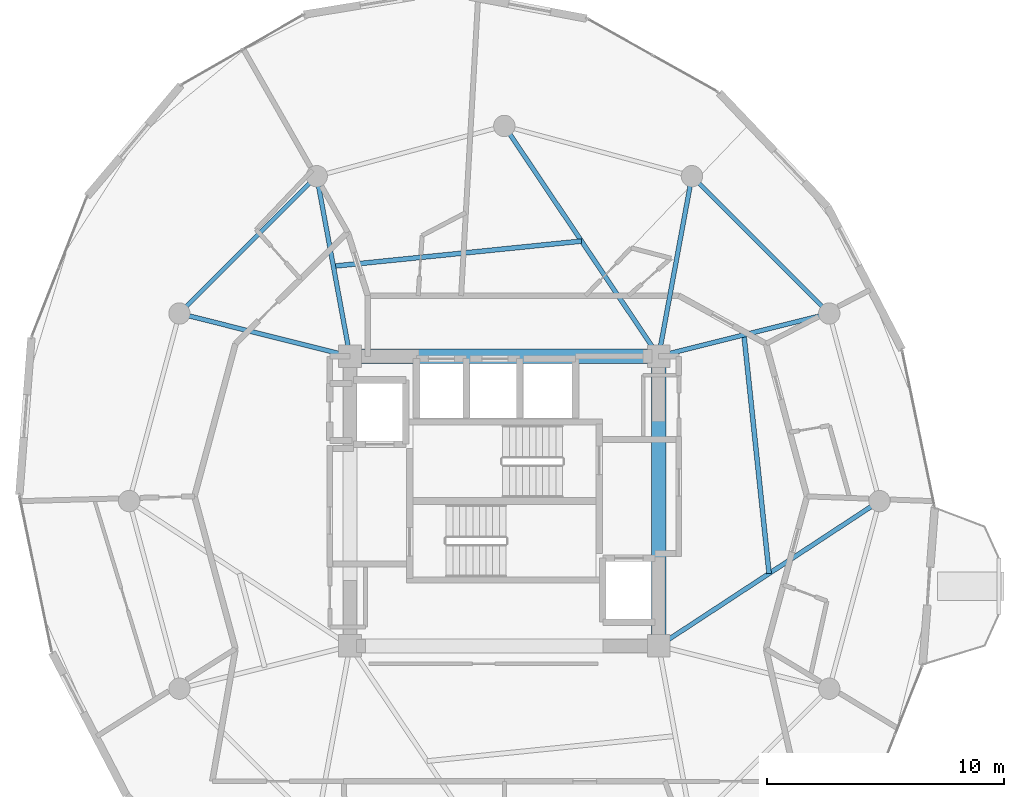
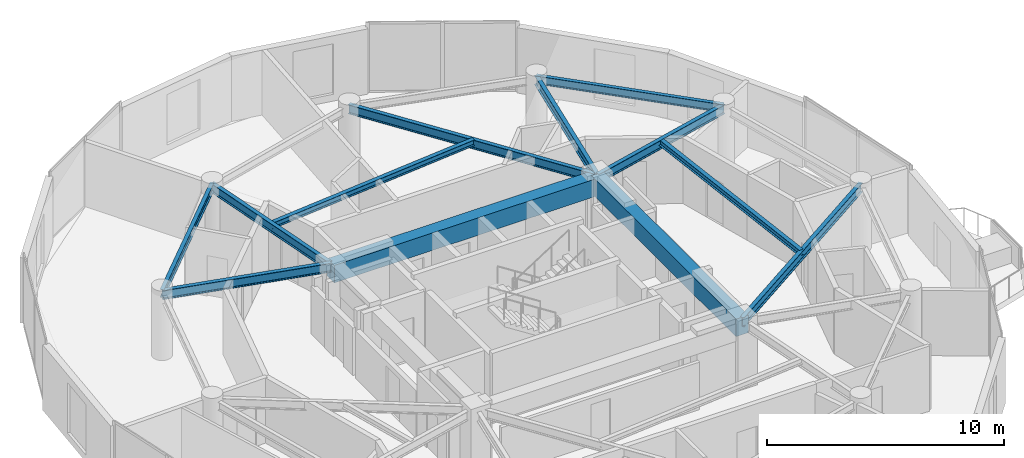
# One storey, part 10 of 21: 12 beams.
"""IFC4 building model written with IfcOpenShell, lengths in metres."""

import ifcopenshell
import ifcopenshell.guid

model = None  # the IFC model being written
_history = None  # IfcOwnerHistory: only IFC2X3 demands one
_inside = {}  # id of a spatial element -> (the spatial element, [elements in it])
_under = {}  # id of a project, library or spatial element -> (it, [spatial elements below it])
_declared = {}  # id of a project -> (the project, [libraries it declares])
_typed = {}  # id of a type object -> (the type object, [elements of that type])
_made_of = {}  # id of a material, layer set ... -> (it, [elements and type objects made of it])


def new_model(schema):
    """Start an empty IFC model of exactly this schema.

    Asked for "IFC4X3", IfcOpenShell would pick the latest addendum, in which some entities
    have other attributes; the version numbers below select the first issue.
    IFC2X3 requires an IfcOwnerHistory on every rooted entity: one is made here for all.
    """
    global model, _history
    if schema == "IFC4X3":
        model = ifcopenshell.file(schema_version=(4, 3, 0, 0))
    else:
        model = ifcopenshell.file(schema=schema)
    _inside.clear()
    _under.clear()
    _declared.clear()
    _typed.clear()
    _made_of.clear()
    _history = None
    if model.schema == "IFC2X3":
        org = make("IfcOrganization", Name="unknown")
        user = make(
            "IfcPersonAndOrganization",
            ThePerson=make("IfcPerson", FamilyName="unknown"),
            TheOrganization=org,
        )
        app = make(
            "IfcApplication",
            ApplicationDeveloper=org,
            Version="unknown",
            ApplicationFullName="unknown",
            ApplicationIdentifier="unknown",
        )
        _history = make(
            "IfcOwnerHistory",
            OwningUser=user,
            OwningApplication=app,
            ChangeAction="ADDED",
            CreationDate=0,
        )
    return model


def make(cls, **values):
    """One entity of the class cls with the attributes given. An attribute that is None is left unset."""
    return model.create_entity(
        cls, **{name: value for name, value in values.items() if value is not None}
    )


def rooted(cls, **values):
    """An entity with a GlobalId (a new one), such as an element, a storey or a relation."""
    return make(cls, GlobalId=ifcopenshell.guid.new(), OwnerHistory=_history, **values)


def si_unit(unit_type, name, prefix=None):
    """IfcSIUnit, for example si_unit("LENGTHUNIT", "METRE", prefix="MILLI")."""
    return make("IfcSIUnit", UnitType=unit_type, Prefix=prefix, Name=name)


def assignment(units):
    """IfcUnitAssignment: the units of a project."""
    return None if units is None else make("IfcUnitAssignment", Units=units)


def point(xyz):
    """IfcCartesianPoint."""
    return None if xyz is None else make("IfcCartesianPoint", Coordinates=xyz)


def direction(xyz):
    """IfcDirection."""
    return None if xyz is None else make("IfcDirection", DirectionRatios=xyz)


def frame(location, z_axis=None, x_axis=None):
    """IfcAxis2Placement3D, a coordinate frame: its origin and axes. An axis left out is left unset."""
    return make(
        "IfcAxis2Placement3D",
        Location=point(location),
        Axis=direction(z_axis),
        RefDirection=direction(x_axis),
    )


def frame_2d(location, x_axis=None):
    """IfcAxis2Placement2D, a coordinate frame in the plane: its origin and x axis."""
    return make(
        "IfcAxis2Placement2D", Location=point(location), RefDirection=direction(x_axis)
    )


def origin():
    """The frame at (0, 0, 0) with its axes left unset."""
    return frame((0.0, 0.0, 0.0))


def origin_2d():
    """The frame at (0, 0) in the plane with its x axis left unset."""
    return frame_2d((0.0, 0.0))


def place(relative_to, where):
    """IfcLocalPlacement: puts the frame where relative to a parent placement (None: the world)."""
    return make(
        "IfcLocalPlacement", PlacementRelTo=relative_to, RelativePlacement=where
    )


def context(
    kind, dimensions, precision=None, world=None, true_north=None, identifier=None
):
    """IfcGeometricRepresentationContext, for example the 3D "Model" context."""
    return make(
        "IfcGeometricRepresentationContext",
        ContextIdentifier=identifier,
        ContextType=kind,
        CoordinateSpaceDimension=dimensions,
        Precision=precision,
        WorldCoordinateSystem=world,
        TrueNorth=true_north,
    )


def subcontext(parent, identifier, kind, view, scale=None):
    """IfcGeometricRepresentationSubContext, for example "Body" below "Model"."""
    return make(
        "IfcGeometricRepresentationSubContext",
        ContextIdentifier=identifier,
        ContextType=kind,
        ParentContext=parent,
        TargetScale=scale,
        TargetView=view,
    )


def project(units=None, contexts=None):
    """IfcProject with its units and contexts."""
    return rooted(
        "IfcProject",
        Name="project",
        RepresentationContexts=contexts,
        UnitsInContext=assignment(units),
    )


def spatial(cls, under=None, at=None, **own):
    """A site, building, storey or space (cls), placed at a placement, below another one or the project."""
    s = rooted(cls, ObjectPlacement=at, **own)
    if under is not None:
        _under.setdefault(under.id(), (under, []))[1].append(s)
    return s


def profile(cls, at=None, kind="AREA", **sizes):
    """A parametric profile (cls). Its sizes go by their IFC names, for example OverallWidth=200.0."""
    return make(cls, ProfileType=kind, Position=at, **sizes)


def rectangle(**sizes):
    """IfcRectangleProfileDef."""
    return profile("IfcRectangleProfileDef", **sizes)


def i_section(**sizes):
    """IfcIShapeProfileDef."""
    return profile("IfcIShapeProfileDef", **sizes)


def extrude(swept, where, along, depth):
    """IfcExtrudedAreaSolid: the profile swept, set in the frame where, extruded along a direction by depth."""
    return make(
        "IfcExtrudedAreaSolid",
        SweptArea=swept,
        Position=where,
        ExtrudedDirection=direction(along),
        Depth=depth,
    )


def shape(context_of_items, identifier, shape_type, items):
    """IfcShapeRepresentation: the items that make up one representation, for example the "Body"."""
    return make(
        "IfcShapeRepresentation",
        ContextOfItems=context_of_items,
        RepresentationIdentifier=identifier,
        RepresentationType=shape_type,
        Items=items,
    )


def material(Name=None, Category=None):
    """IfcMaterial."""
    return make("IfcMaterial", Name=Name, Category=Category)


def material_profile(
    of_material, cross_section, Name=None, Category=None, Priority=None
):
    """IfcMaterialProfile: a cross section and its material."""
    return make(
        "IfcMaterialProfile",
        Name=Name,
        Material=of_material,
        Profile=cross_section,
        Priority=Priority,
        Category=Category,
    )


def profile_set(profiles, Name=None, composite=None):
    """IfcMaterialProfileSet."""
    return make(
        "IfcMaterialProfileSet",
        Name=Name,
        MaterialProfiles=profiles,
        CompositeProfile=composite,
    )


def made_of(thing, what):
    """Note that an element or type object is made of a material, layer set ...; save() writes the relation."""
    if what is not None:
        _made_of.setdefault(what.id(), (what, []))[1].append(thing)
    return thing


def type_object(cls, material=None, **own):
    """A type object (cls), such as IfcWallType, which elements share."""
    return made_of(rooted(cls, **own), material)


def element(
    cls,
    number,
    at=None,
    inside=None,
    cuts=None,
    type_object=None,
    material=None,
    context=None,
    identifier="Body",
    shape_type=None,
    held_by="IfcProductDefinitionShape",
    body=None,
    shapes=None,
    **own,
):
    """One element of the class cls, such as IfcWall. Its Tag is "e" and its number.

    at: its placement. inside: the storey or other place that contains it. cuts: it is an
    opening in that element (IfcRelVoidsElement). A single representation is given by context,
    identifier, shape_type and body (its items); several are given by shapes. held_by: the class
    of the entity that holds the representations. save() writes the other relations.
    """
    e = rooted(cls, Tag="e%d" % number, ObjectPlacement=at, **own)
    if body is not None:
        shapes = [shape(context, identifier, shape_type, body)]
    if shapes is not None:
        e.Representation = make(held_by, Representations=shapes)
    if inside is not None:
        _inside.setdefault(inside.id(), (inside, []))[1].append(e)
    if cuts is not None:
        rooted(
            "IfcRelVoidsElement", RelatingBuildingElement=cuts, RelatedOpeningElement=e
        )
    if type_object is not None:
        _typed.setdefault(type_object.id(), (type_object, []))[1].append(e)
    return made_of(e, material)


def aggregate(whole, parts):
    """IfcRelAggregates: a whole, such as a stair, and the parts it consists of."""
    return rooted("IfcRelAggregates", RelatingObject=whole, RelatedObjects=parts)


def save(model, path):
    """Write the relations noted so far, then the file.

    IfcRelAggregates (storeys below a building ...), IfcRelContainedInSpatialStructure (elements
    in a storey), IfcRelDefinesByType, IfcRelAssociatesMaterial and IfcRelDeclares: one each for
    every whole, place, type object, material and project.
    """
    for whole, parts in _under.values():
        aggregate(whole, parts)
    for where, things in _inside.values():
        rooted(
            "IfcRelContainedInSpatialStructure",
            RelatedElements=things,
            RelatingStructure=where,
        )
    for kind, things in _typed.values():
        rooted("IfcRelDefinesByType", RelatedObjects=things, RelatingType=kind)
    for what, things in _made_of.values():
        rooted("IfcRelAssociatesMaterial", RelatedObjects=things, RelatingMaterial=what)
    for by, libraries in _declared.values():
        rooted("IfcRelDeclares", RelatingContext=by, RelatedDefinitions=libraries)
    model.write(path)


model = new_model("IFC4")

# Units and contexts
model_context = context("Model", 3, precision=1e-05, world=origin(), true_north=direction((0.0, 1.0)))
body_context = subcontext(model_context, "Body", "Model", "MODEL_VIEW")
ifc_project = project(units=[si_unit("LENGTHUNIT", "METRE"), si_unit("AREAUNIT", "SQUARE_METRE"), si_unit("VOLUMEUNIT", "CUBIC_METRE"), si_unit("PLANEANGLEUNIT", "RADIAN"), si_unit("MASSUNIT", "GRAM", prefix="KILO")], contexts=[model_context])

# Site, building, storey
site_placement = place(None, origin())
site = spatial("IfcSite", under=ifc_project, at=site_placement, CompositionType="ELEMENT")
building_placement = place(site_placement, origin())
building = spatial("IfcBuilding", under=site, at=building_placement, Name="Solvirekh Grand Hotel", CompositionType="ELEMENT")
storey_placement = place(building_placement, frame((0.0, 0.0, 220.0)))
storey = spatial("IfcBuildingStorey", under=building, at=storey_placement, Name="L57", CompositionType="ELEMENT", Elevation=220.0)

# Beams
ifc_material_1 = material(Name="Concrete C50/60", Category="concrete")
ifc_material_profile_1 = material_profile(ifc_material_1, rectangle(XDim=0.60009765625, YDim=0.89990234375, at=origin_2d()), Name="RC BEAM 600X900")
ifc_profile_set_1 = profile_set([ifc_material_profile_1], Name="Concrete C50/60")
beam_type_1 = type_object("IfcBeamType", Name="Beam_Core_RC900", PredefinedType="BEAM", material=ifc_profile_set_1)
beam_1_placement = place(storey_placement, frame((6.5, -6.10009765625, 2.909912109375), z_axis=(0.0, 1.0, 0.0), x_axis=(-1.0, 0.0, 0.0)))
element("IfcBeam", 1, at=beam_1_placement, inside=storey, type_object=beam_type_1, Name="L57 core coupling ring beam 2", PredefinedType="BEAM", context=body_context, shape_type="SweptSolid", body=[
    extrude(rectangle(XDim=0.60009765625, YDim=0.89990234375, at=origin_2d()), origin(), (0.0, 0.0, 1.0), 12.2001953125),
])
beam_2_placement = place(storey_placement, frame((6.5, 6.10009765625, 2.909912109375), z_axis=(-1.0, 0.0, 0.0), x_axis=(0.0, -1.0, 0.0)))
element("IfcBeam", 2, at=beam_2_placement, inside=storey, type_object=beam_type_1, Name="L57 core coupling ring beam 3", PredefinedType="BEAM", context=body_context, shape_type="SweptSolid", body=[
    extrude(rectangle(XDim=0.60009765625, YDim=0.89990234375, at=origin_2d()), origin(), (0.0, 0.0, 1.0), 13.0),
])
ifc_material_2 = material(Name="Steel S355", Category="steel")
ifc_material_profile_2 = material_profile(ifc_material_2, i_section(OverallWidth=0.194091796875, OverallDepth=0.468994140625, WebThickness=0.010986328125, FlangeThickness=0.01904296875, FilletRadius=0.012939453125, at=origin_2d()), Name="W460X106")
ifc_profile_set_2 = profile_set([ifc_material_profile_2], Name="Steel S355")
beam_type_2 = type_object("IfcBeamType", Name="Beam_Radial_W460H", PredefinedType="BEAM", material=ifc_profile_set_2)
beam_3_placement = place(storey_placement, frame((6.5, -6.10009765625, 3.1259765625), z_axis=(0.836174064962, 0.548464158432, 0.0), x_axis=(-0.548464158432, 0.836174064962, 0.0)))
element("IfcBeam", 3, at=beam_3_placement, inside=storey, type_object=beam_type_2, Name="L57 radial floor beam R01", PredefinedType="BEAM", context=body_context, shape_type="SweptSolid", body=[
    extrude(i_section(OverallWidth=0.194091796875, OverallDepth=0.468994140625, WebThickness=0.010986328125, FlangeThickness=0.01904296875, FilletRadius=0.012939453125, at=origin_2d()), origin(), (0.0, 0.0, 1.0), 11.1220703125),
])
beam_4_placement = place(storey_placement, frame((6.5, 6.10009765625, 3.1259765625), z_axis=(0.970014367692, 0.243047580675, 0.0), x_axis=(-0.243047580675, 0.970014367692, 0.0)))
element("IfcBeam", 4, at=beam_4_placement, inside=storey, type_object=beam_type_2, Name="L57 radial floor beam R02", PredefinedType="BEAM", context=body_context, shape_type="SweptSolid", body=[
    extrude(i_section(OverallWidth=0.194091796875, OverallDepth=0.468994140625, WebThickness=0.010986328125, FlangeThickness=0.01904296875, FilletRadius=0.012939453125, at=origin_2d()), origin(), (0.0, 0.0, 1.0), 7.4052734375),
])
beam_5_placement = place(storey_placement, frame((6.5, 6.10009765625, 3.1259765625), z_axis=(0.181542769111, 0.983383049978, 0.0), x_axis=(-0.983383049978, 0.181542769111, 0.0)))
element("IfcBeam", 5, at=beam_5_placement, inside=storey, type_object=beam_type_2, Name="L57 radial floor beam R03", PredefinedType="BEAM", context=body_context, shape_type="SweptSolid", body=[
    extrude(i_section(OverallWidth=0.194091796875, OverallDepth=0.468994140625, WebThickness=0.010986328125, FlangeThickness=0.01904296875, FilletRadius=0.012939453125, at=origin_2d()), origin(), (0.0, 0.0, 1.0), 7.711181640625),
])
beam_6_placement = place(storey_placement, frame((6.5, 6.10009765625, 3.1259765625), z_axis=(-0.556676926176, 0.830729077295, 0.0), x_axis=(-0.830729077295, -0.556676926176, 0.0)))
element("IfcBeam", 6, at=beam_6_placement, inside=storey, type_object=beam_type_2, Name="L57 radial floor beam R04", PredefinedType="BEAM", context=body_context, shape_type="SweptSolid", body=[
    extrude(i_section(OverallWidth=0.194091796875, OverallDepth=0.468994140625, WebThickness=0.010986328125, FlangeThickness=0.01904296875, FilletRadius=0.012939453125, at=origin_2d()), origin(), (0.0, 0.0, 1.0), 11.676513671875),
])
beam_7_placement = place(storey_placement, frame((-6.5, 6.10009765625, 3.1259765625), z_axis=(-0.181542769111, 0.983383049978, 0.0), x_axis=(-0.983383049978, -0.181542769111, 0.0)))
element("IfcBeam", 7, at=beam_7_placement, inside=storey, type_object=beam_type_2, Name="L57 radial floor beam R05", PredefinedType="BEAM", context=body_context, shape_type="SweptSolid", body=[
    extrude(i_section(OverallWidth=0.194091796875, OverallDepth=0.468994140625, WebThickness=0.010986328125, FlangeThickness=0.01904296875, FilletRadius=0.012939453125, at=origin_2d()), origin(), (0.0, 0.0, 1.0), 7.711181640625),
])
beam_8_placement = place(storey_placement, frame((-6.5, 6.10009765625, 3.1259765625), z_axis=(-0.970014367692, 0.243047580675, 0.0), x_axis=(-0.243047580675, -0.970014367692, 0.0)))
element("IfcBeam", 8, at=beam_8_placement, inside=storey, type_object=beam_type_2, Name="L57 radial floor beam R06", PredefinedType="BEAM", context=body_context, shape_type="SweptSolid", body=[
    extrude(i_section(OverallWidth=0.194091796875, OverallDepth=0.468994140625, WebThickness=0.010986328125, FlangeThickness=0.01904296875, FilletRadius=0.012939453125, at=origin_2d()), origin(), (0.0, 0.0, 1.0), 7.4052734375),
])
ifc_material_profile_3 = material_profile(ifc_material_2, i_section(OverallWidth=0.202880859375, OverallDepth=0.302978515625, WebThickness=0.008056640625, FlangeThickness=0.012939453125, FilletRadius=0.010009765625, at=origin_2d()), Name="W310X60")
ifc_profile_set_3 = profile_set([ifc_material_profile_3], Name="Steel S355")
beam_type_3 = type_object("IfcBeamType", Name="Joist_Floor_W310", PredefinedType="JOIST", material=ifc_profile_set_3)
beam_9_placement = place(storey_placement, frame((11.14990234375, -3.050048828125, 3.208984375), z_axis=(-0.1047765874, 0.994495785176, 0.0), x_axis=(-0.994495785176, -0.1047765874, 0.0)))
element("IfcBeam", 9, at=beam_9_placement, inside=storey, type_object=beam_type_3, Name="L57 secondary composite floor joist 1", PredefinedType="JOIST", context=body_context, shape_type="SweptSolid", body=[
    extrude(i_section(OverallWidth=0.202880859375, OverallDepth=0.302978515625, WebThickness=0.008056640625, FlangeThickness=0.012939453125, FilletRadius=0.010009765625, at=origin_2d()), origin(), (0.0, 0.0, 1.0), 10.105712890625),
])
beam_10_placement = place(storey_placement, frame((3.25, 10.949951171875, 3.208984375), z_axis=(-0.994915167737, -0.100716478326, 0.0), x_axis=(0.100716478326, -0.994915167737, 0.0)))
element("IfcBeam", 10, at=beam_10_placement, inside=storey, type_object=beam_type_3, Name="L57 secondary composite floor joist 4", PredefinedType="JOIST", context=body_context, shape_type="SweptSolid", body=[
    extrude(i_section(OverallWidth=0.202880859375, OverallDepth=0.302978515625, WebThickness=0.008056640625, FlangeThickness=0.012939453125, FilletRadius=0.010009765625, at=origin_2d()), origin(), (0.0, 0.0, 1.0), 10.50341796875),
])
ifc_material_profile_4 = material_profile(ifc_material_2, i_section(OverallWidth=0.180908203125, OverallDepth=0.4169921875, WebThickness=0.010009765625, FlangeThickness=0.01611328125, FilletRadius=0.011962890625, at=origin_2d()), Name="W410X85")
ifc_profile_set_4 = profile_set([ifc_material_profile_4], Name="Steel S355")
beam_type_4 = type_object("IfcBeamType", Name="Spandrel_Ring_W410", PredefinedType="SPANDREL", material=ifc_profile_set_4)
for number, where, z_axis, x_axis, name in (
    (11, (13.68310546875, 7.89990234375, 3.152099609375), (-0.707106781187, 0.707106781187, 0.0), (-0.707106781187, -0.707106781187, 0.0), "L57 perimeter spandrel beam 2"),
    (12, (-7.89990234375, 13.68310546875, 3.152099609375), (-0.707106781187, -0.707106781187, 0.0), (0.707106781187, -0.707106781187, 0.0), "L57 perimeter spandrel beam 5"),
):
    element("IfcBeam", number, at=place(storey_placement, frame(where, z_axis=z_axis, x_axis=x_axis)), inside=storey, type_object=beam_type_4, Name=name, PredefinedType="SPANDREL", context=body_context, shape_type="SweptSolid", body=[
        extrude(i_section(OverallWidth=0.180908203125, OverallDepth=0.4169921875, WebThickness=0.010009765625, FlangeThickness=0.01611328125, FilletRadius=0.011962890625, at=origin_2d()), origin(), (0.0, 0.0, 1.0), 8.1787109375),
    ])

save(model, "model.ifc")
